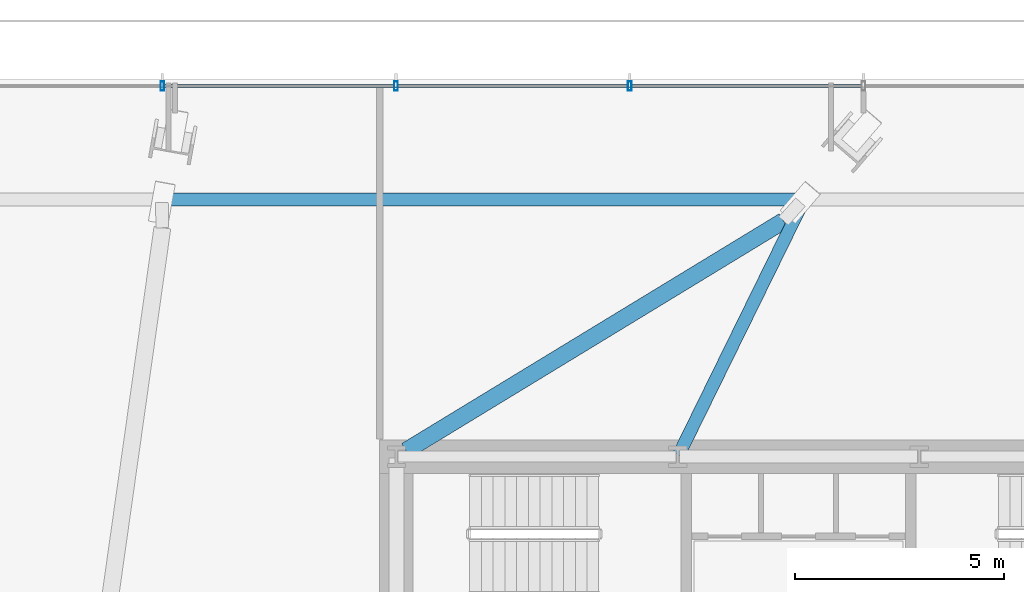
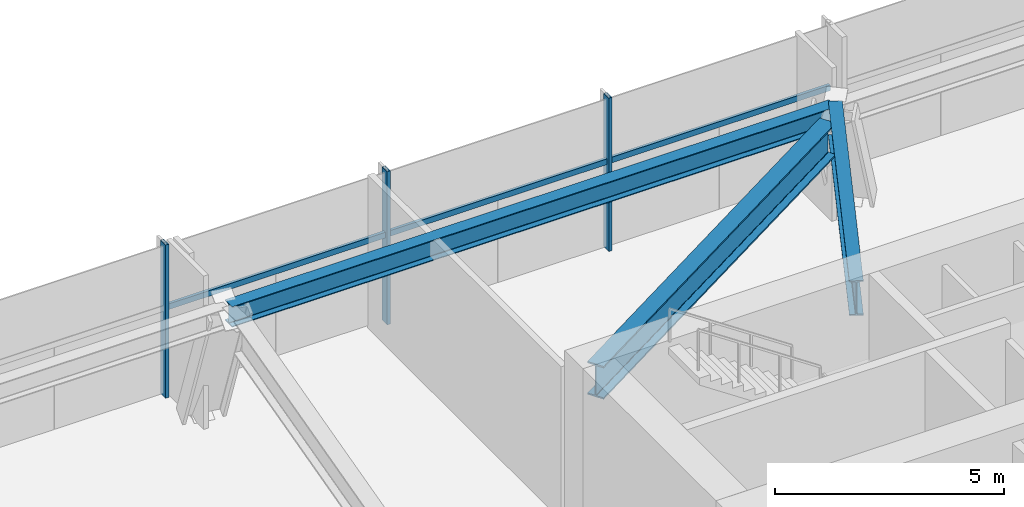
# One storey, part 12 of 30: 6 members, 3 beams, 1 element without a shape of its own.
"""IFC4 building model written with IfcOpenShell, lengths in metres."""

from ifc_helpers import new_model, si_unit, direction, frame, origin, origin_2d, place, context, subcontext, project, spatial, hollow_rectangle, i_section, extrude, source, transform, mapped, material, material_profile, profile_set, type_object, type_shapes, element, aggregate, save


model = new_model("IFC4")

# Units and contexts
model_context = context("Model", 3, precision=1e-05, world=origin(), true_north=direction((0.0, 1.0)))
body_context = subcontext(model_context, "Body", "Model", "MODEL_VIEW")
ifc_project = project(units=[si_unit("LENGTHUNIT", "METRE"), si_unit("AREAUNIT", "SQUARE_METRE"), si_unit("VOLUMEUNIT", "CUBIC_METRE"), si_unit("PLANEANGLEUNIT", "RADIAN"), si_unit("MASSUNIT", "GRAM", prefix="KILO")], contexts=[model_context])

# Site, building, storey
site_placement = place(None, origin())
site = spatial("IfcSite", under=ifc_project, at=site_placement, CompositionType="ELEMENT")
building_placement = place(site_placement, origin())
building = spatial("IfcBuilding", under=site, at=building_placement, Name="Astriad Promenade Condominiums", CompositionType="ELEMENT")
storey_placement = place(building_placement, frame((0.0, 0.0, 14.0)))
storey = spatial("IfcBuildingStorey", under=building, at=storey_placement, Name="L03", CompositionType="ELEMENT", Elevation=14.0)

# Beams
ifc_material_1 = material(Name="Steel ASTM A992 Grade 50", Category="steel")
ifc_material_profile_1 = material_profile(ifc_material_1, i_section(OverallWidth=0.3134765625, OverallDepth=0.54638671875, WebThickness=0.013916015625, FlangeThickness=0.022216796875, FilletRadius=0.0166015625, at=origin_2d()), Name="W21X111")
ifc_profile_set_1 = profile_set([ifc_material_profile_1], Name="Steel ASTM A992 Grade 50")
beam_type_1 = type_object("IfcBeamType", Name="STEEL SPANDREL BEAM W21X111", PredefinedType="SPANDREL", material=ifc_profile_set_1)
shared_shape_1 = source(origin(), body_context, "Body", "SweptSolid", [
    extrude(i_section(OverallWidth=0.3134765625, OverallDepth=0.54638671875, WebThickness=0.013916015625, FlangeThickness=0.022216796875, FilletRadius=0.0166015625, at=origin_2d()), origin(), (0.0, 0.0, 1.0), 15.2119140625),
])
type_shapes(beam_type_1, [shared_shape_1])
beam_1_placement = place(storey_placement, frame((36.063720703125, 30.140380859375, 3.806884765625), z_axis=(-1.0, 0.0, 0.0), x_axis=(0.0, -1.0, 0.0)))
element("IfcBeam", 1, at=beam_1_placement, inside=storey, type_object=beam_type_1, Name="Perimeter Spandrel Beam SP-N2-L03", PredefinedType="SPANDREL", context=body_context, shape_type="MappedRepresentation", body=[
    mapped(shared_shape_1, transform((0.0, 0.0, 0.0), scale=1.0)),
])
ifc_material_profile_2 = material_profile(ifc_material_1, i_section(OverallWidth=0.307861328125, OverallDepth=0.9267578125, WebThickness=0.019287109375, FlangeThickness=0.031982421875, FilletRadius=0.024169921875, at=origin_2d()), Name="W36X194")
ifc_profile_set_2 = profile_set([ifc_material_profile_2], Name="Steel ASTM A992 Grade 50")
beam_type_2 = type_object("IfcBeamType", Name="STEEL PRIMARY GIRDER W36X194", PredefinedType="BEAM", material=ifc_profile_set_2)
shared_shape_2 = source(origin(), body_context, "Body", "SweptSolid", [
    extrude(i_section(OverallWidth=0.307861328125, OverallDepth=0.9267578125, WebThickness=0.019287109375, FlangeThickness=0.031982421875, FilletRadius=0.024169921875, at=origin_2d()), origin(), (0.0, 0.0, 1.0), 6.854248046875),
])
type_shapes(beam_type_2, [shared_shape_2])
beam_2_placement = place(storey_placement, frame((36.158447265625, 30.1884765625, 3.61669921875), z_axis=(-0.440719113879, -0.897645064968, 0.0), x_axis=(0.897645064968, -0.440719113879, 0.0)))
element("IfcBeam", 2, at=beam_2_placement, inside=storey, type_object=beam_type_2, Name="Primary Floor Girder PG-NC-L03", PredefinedType="BEAM", context=body_context, shape_type="MappedRepresentation", body=[
    mapped(shared_shape_2, transform((0.0, 0.0, 0.0), scale=1.0)),
])
ifc_material_profile_3 = material_profile(ifc_material_1, i_section(OverallWidth=0.4013671875, OverallDepth=0.877197265625, WebThickness=0.022216796875, FlangeThickness=0.039794921875, FilletRadius=0.02294921875, at=origin_2d()), Name="W33X263")
ifc_profile_set_3 = profile_set([ifc_material_profile_3], Name="Steel ASTM A992 Grade 50")
beam_type_3 = type_object("IfcBeamType", Name="STEEL TRANSFER CARRIER GIRDER W33X263", PredefinedType="BEAM", material=ifc_profile_set_3)
shared_shape_3 = source(origin(), body_context, "Body", "SweptSolid", [
    extrude(i_section(OverallWidth=0.4013671875, OverallDepth=0.877197265625, WebThickness=0.022216796875, FlangeThickness=0.039794921875, FilletRadius=0.02294921875, at=origin_2d()), origin(), (0.0, 0.0, 1.0), 10.55419921875),
])
type_shapes(beam_type_3, [shared_shape_3])
beam_3_placement = place(storey_placement, frame((26.62841796875, 24.13916015625, 3.641357421875), z_axis=(0.85420168243, 0.519941809949, 0.0), x_axis=(-0.519941809949, 0.85420168243, 0.0)))
element("IfcBeam", 3, at=beam_3_placement, inside=storey, type_object=beam_type_3, Name="Transfer Splice Carrier TRM-SP-PC08-L03", PredefinedType="BEAM", context=body_context, shape_type="MappedRepresentation", body=[
    mapped(shared_shape_3, transform((0.0, 0.0, 0.0), scale=1.0)),
])

# Curtain wall, members
ifc_material_2 = material(Name="Anodised aluminium Black Dark Glass Unitised", Category="aluminium")
curtain_wall_type = type_object("IfcCurtainWallType", Name="CW-POD-DARK", PredefinedType="USERDEFINED", material=ifc_material_2)
curtain_wall_placement = place(storey_placement, origin())
curtain_wall = element("IfcCurtainWall", 4, at=curtain_wall_placement, inside=storey, type_object=curtain_wall_type, Name="CW-L03-N", ObjectType="UNITISED_CURTAIN_WALL", PredefinedType="USERDEFINED")
ifc_material_3 = material(Name="Anodised aluminium 6063-T6 Black", Category="aluminium")
ifc_material_profile_4 = material_profile(ifc_material_3, hollow_rectangle(XDim=0.0849609375, YDim=0.219970703125, WallThickness=0.0048828125, at=origin_2d()), Name="ALU-MUL-85X220")
ifc_profile_set_4 = profile_set([ifc_material_profile_4], Name="Anodised aluminium 6063-T6 Black")
member_type_1 = type_object("IfcMemberType", Name="MUL-ALU-MUL-85X220", PredefinedType="MULLION", material=ifc_profile_set_4)
shared_shape_4 = source(origin(), body_context, "Body", "SweptSolid", [
    extrude(hollow_rectangle(XDim=0.0849609375, YDim=0.219970703125, WallThickness=0.0048828125, at=origin_2d()), origin(), (0.0, 0.0, 1.0), 4.080078125),
])
type_shapes(member_type_1, [shared_shape_4])
member_1_placement = place(storey_placement, frame((20.81005859375, 32.85009765625, 0.0), z_axis=(0.0, 0.0, 1.0), x_axis=(1.0, 0.0, 0.0)))
member_1 = element("IfcMember", 5, at=member_1_placement, type_object=member_type_1, Name="CW-L03-N-MUL-02", PredefinedType="MULLION", context=body_context, shape_type="MappedRepresentation", body=[
    mapped(shared_shape_4, transform((0.0, 0.0, 0.0), scale=1.0)),
])
member_2_placement = place(storey_placement, frame((26.389892578125, 32.85009765625, 0.0), z_axis=(0.0, 0.0, 1.0), x_axis=(1.0, 0.0, 0.0)))
member_2 = element("IfcMember", 6, at=member_2_placement, type_object=member_type_1, Name="CW-L03-N-MUL-03", PredefinedType="MULLION", context=body_context, shape_type="MappedRepresentation", body=[
    mapped(shared_shape_4, transform((0.0, 0.0, 0.0), scale=1.0)),
])
member_3_placement = place(storey_placement, frame((31.969970703125, 32.85009765625, 0.0), z_axis=(0.0, 0.0, 1.0), x_axis=(1.0, 0.0, 0.0)))
member_3 = element("IfcMember", 7, at=member_3_placement, type_object=member_type_1, Name="CW-L03-N-MUL-04", PredefinedType="MULLION", context=body_context, shape_type="MappedRepresentation", body=[
    mapped(shared_shape_4, transform((0.0, 0.0, 0.0), scale=1.0)),
])
ifc_material_profile_5 = material_profile(ifc_material_3, hollow_rectangle(XDim=0.074951171875, YDim=0.14990234375, WallThickness=0.004150390625, at=origin_2d()), Name="ALU-TRN-75X150")
ifc_profile_set_5 = profile_set([ifc_material_profile_5], Name="Anodised aluminium 6063-T6 Black")
member_type_2 = type_object("IfcMemberType", Name="TRN-ALU-TRN-75X150", PredefinedType="USERDEFINED", material=ifc_profile_set_5)
shared_shape_5 = source(origin(), body_context, "Body", "SweptSolid", [
    extrude(hollow_rectangle(XDim=0.074951171875, YDim=0.14990234375, WallThickness=0.004150390625, at=origin_2d()), origin(), (0.0, 0.0, 1.0), 5.580078125),
])
member_4_placement = place(storey_placement, frame((26.389892578125, 32.85009765625, 2.35009765625), z_axis=(1.0, 0.0, 0.0), x_axis=(0.0, 1.0, 0.0)))
member_4 = element("IfcMember", 8, at=member_4_placement, type_object=member_type_2, Name="CW-L03-N-TRN-03-0", ObjectType="TRANSOM", PredefinedType="USERDEFINED", context=body_context, shape_type="MappedRepresentation", body=[
    mapped(shared_shape_5, transform((0.0, 0.0, 0.0), scale=1.0)),
])
member_5_placement = place(storey_placement, frame((31.969970703125, 32.85009765625, 2.35009765625), z_axis=(1.0, 0.0, 0.0), x_axis=(0.0, 1.0, 0.0)))
member_5 = element("IfcMember", 9, at=member_5_placement, type_object=member_type_2, Name="CW-L03-N-TRN-04-0", ObjectType="TRANSOM", PredefinedType="USERDEFINED", context=body_context, shape_type="MappedRepresentation", body=[
    mapped(shared_shape_5, transform((0.0, 0.0, 0.0), scale=1.0)),
])
shared_shape_6 = source(origin(), body_context, "Body", "SweptSolid", [
    extrude(hollow_rectangle(XDim=0.074951171875, YDim=0.14990234375, WallThickness=0.004150390625, at=origin_2d()), origin(), (0.0, 0.0, 1.0), 5.579833984375),
])
type_shapes(member_type_2, [shared_shape_5, shared_shape_6])
member_6_placement = place(storey_placement, frame((20.81005859375, 32.85009765625, 2.35009765625), z_axis=(1.0, 0.0, 0.0), x_axis=(0.0, 1.0, 0.0)))
member_6 = element("IfcMember", 10, at=member_6_placement, type_object=member_type_2, Name="CW-L03-N-TRN-02-0", ObjectType="TRANSOM", PredefinedType="USERDEFINED", context=body_context, shape_type="MappedRepresentation", body=[
    mapped(shared_shape_6, transform((0.0, 0.0, 0.0), scale=1.0)),
])
aggregate(curtain_wall, [member_1, member_2, member_3, member_6, member_4, member_5])

save(model, "model.ifc")
